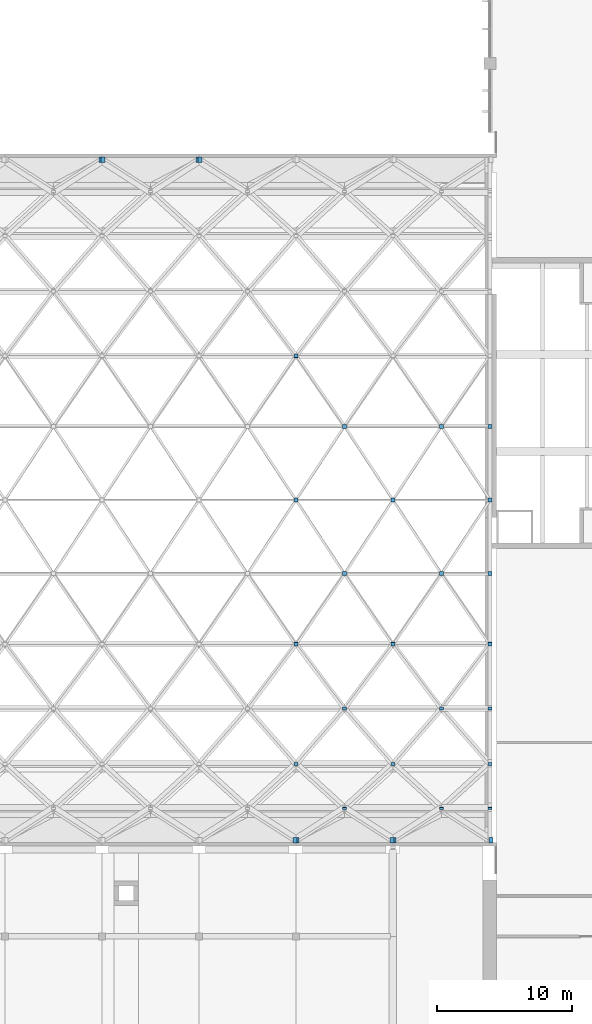
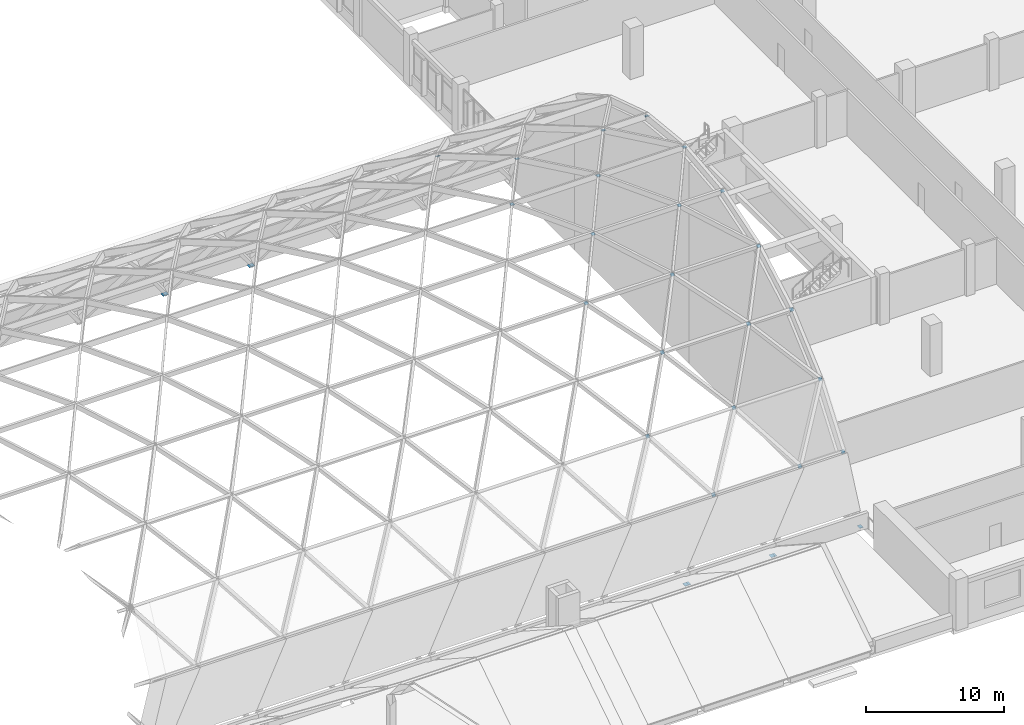
# One storey, part 48 of 52: 31 discrete accessories.
"""IFC4 building model written with IfcOpenShell, lengths in metres."""

from ifc_helpers import new_model, si_unit, direction, frame, origin, origin_2d, place, context, subcontext, project, spatial, rectangle, extrude, material, layer, layer_set, material_profile, profile_set, type_object, element, save


model = new_model("IFC4")

# Units and contexts
model_context = context("Model", 3, precision=1e-05, world=origin(), true_north=direction((0.0, 1.0)))
body_context = subcontext(model_context, "Body", "Model", "MODEL_VIEW")
ifc_project = project(units=[si_unit("LENGTHUNIT", "METRE"), si_unit("AREAUNIT", "SQUARE_METRE"), si_unit("VOLUMEUNIT", "CUBIC_METRE"), si_unit("PLANEANGLEUNIT", "RADIAN"), si_unit("MASSUNIT", "GRAM", prefix="KILO")], contexts=[model_context])

# Site, building, storey
site_placement = place(None, origin())
site = spatial("IfcSite", under=ifc_project, at=site_placement, CompositionType="ELEMENT")
building_placement = place(site_placement, origin())
building = spatial("IfcBuilding", under=site, at=building_placement, Name="Vermilion Court Aquatics Centre", CompositionType="ELEMENT")
storey_placement = place(building_placement, frame((0.0, 0.0, 12.0)))
storey = spatial("IfcBuildingStorey", under=building, at=storey_placement, Name="L02", CompositionType="ELEMENT", Elevation=12.0)

# Discrete accessories
ifc_material_1 = material(Name="Stainless steel 1.4547, 1.4529 or 1.4565", Category="steel")
ifc_material_profile = material_profile(ifc_material_1, rectangle(XDim=0.300048828125, YDim=0.300048828125, at=origin_2d()), Name="PL 12 x 300 x 300")
ifc_profile_set = profile_set([ifc_material_profile], Name="Stainless steel 1.4547, 1.4529 or 1.4565")
discrete_accessory_type_1 = type_object("IfcDiscreteAccessoryType", Name="Gridshell node plate", PredefinedType="BRACKET", material=ifc_profile_set)
for number, where, z_axis, x_axis, name in (
    (1, (133.199951171875, 16.715087890625, 5.23583984375), (0.0, -0.850265146688, 0.526354614616), (1.0, 0.0, 0.0), "Gridshell node plate NP1 01-17"),
    (2, (140.39990234375, 16.715087890625, 5.23583984375), (0.0, -0.850265146688, 0.526354614616), (1.0, 0.0, 0.0), "Gridshell node plate NP1 01-18"),
    (3, (144.0, 16.715087890625, 5.23583984375), (0.0, -0.850265146688, 0.526354614616), (1.0, 0.0, 0.0), "Gridshell node plate NP1 01-19"),
    (4, (129.60009765625, 20.00439453125, 9.64794921875), (0.0, -0.737154140201, 0.675724628517), (1.0, 0.0, 0.0), "Gridshell node plate NP1 02-16"),
    (5, (136.800048828125, 20.00439453125, 9.64794921875), (0.0, -0.737154140201, 0.675724628517), (1.0, 0.0, 0.0), "Gridshell node plate NP1 02-17"),
    (6, (144.0, 20.00439453125, 9.64794921875), (0.0, -0.737154140201, 0.675724628517), (1.0, 0.0, 0.0), "Gridshell node plate NP1 02-18"),
    (7, (133.199951171875, 24.12353515625, 13.2861328125), (0.0, -0.586967571461, 0.809610443394), (1.0, 0.0, 0.0), "Gridshell node plate NP1 03-17"),
    (8, (140.39990234375, 24.12353515625, 13.2861328125), (0.0, -0.586967571461, 0.809610443394), (1.0, 0.0, 0.0), "Gridshell node plate NP1 03-18"),
    (9, (144.0, 24.12353515625, 13.2861328125), (0.0, -0.586967571461, 0.809610443394), (1.0, 0.0, 0.0), "Gridshell node plate NP1 03-19"),
    (10, (129.60009765625, 28.90234375, 16.00146484375), (0.0, -0.38897203704, 0.921249561411), (1.0, 0.0, 0.0), "Gridshell node plate NP1 04-16"),
    (11, (136.800048828125, 28.90234375, 16.00146484375), (0.0, -0.38897203704, 0.921249561411), (1.0, 0.0, 0.0), "Gridshell node plate NP1 04-17"),
    (12, (144.0, 28.90234375, 16.00146484375), (0.0, -0.38897203704, 0.921249561411), (1.0, 0.0, 0.0), "Gridshell node plate NP1 04-18"),
):
    element("IfcDiscreteAccessory", number, at=place(storey_placement, frame(where, z_axis=z_axis, x_axis=x_axis)), inside=storey, type_object=discrete_accessory_type_1, Name=name, PredefinedType="BRACKET", context=body_context, shape_type="SweptSolid", body=[
        extrude(rectangle(XDim=0.300048828125, YDim=0.300048828125, at=origin_2d()), origin(), (0.0, 0.0, 1.0), 0.011962890625),
    ])
for number, where, z_axis, x_axis, name in (
    (13, (133.199951171875, 34.13134765625, 17.676025390625), (0.0, -0.219038342307, 0.975716252094), (1.0, 0.0, 0.0), "Gridshell node plate NP1 05-17"),
    (14, (140.39990234375, 34.13134765625, 17.676025390625), (0.0, -0.219038342307, 0.975716252094), (1.0, 0.0, 0.0), "Gridshell node plate NP1 05-18"),
    (15, (144.0, 34.13134765625, 17.676025390625), (0.0, -0.219038342307, 0.975716252094), (1.0, 0.0, 0.0), "Gridshell node plate NP1 05-19"),
    (16, (129.60009765625, 39.60009765625, 18.243896484375), (0.0, 0.0, 1.0), (1.0, 0.0, 0.0), "Gridshell node plate NP1 06-16"),
    (17, (136.800048828125, 39.60009765625, 18.243896484375), (0.0, 0.0, 1.0), (1.0, 0.0, 0.0), "Gridshell node plate NP1 06-17"),
    (18, (144.0, 39.60009765625, 18.243896484375), (0.0, 0.0, 1.0), (1.0, 0.0, 0.0), "Gridshell node plate NP1 06-18"),
    (19, (133.199951171875, 45.06884765625, 17.676025390625), (0.0, 0.199960011996, 0.97980405878), (-1.0, 0.0, 0.0), "Gridshell node plate NP1 07-17"),
    (20, (140.39990234375, 45.06884765625, 17.676025390625), (0.0, 0.199960011996, 0.97980405878), (-1.0, 0.0, 0.0), "Gridshell node plate NP1 07-18"),
    (21, (144.0, 45.06884765625, 17.676025390625), (0.0, 0.199960011996, 0.97980405878), (-1.0, 0.0, 0.0), "Gridshell node plate NP1 07-19"),
):
    element("IfcDiscreteAccessory", number, at=place(storey_placement, frame(where, z_axis=z_axis, x_axis=x_axis)), inside=storey, type_object=discrete_accessory_type_1, Name=name, PredefinedType="BRACKET", context=body_context, shape_type="SweptSolid", body=[
        extrude(rectangle(XDim=0.300048828125, YDim=0.300048828125, at=origin_2d()), origin(), (0.0, 0.0, 1.0), 0.01220703125),
    ])
discrete_accessory_placement = place(storey_placement, frame((129.60009765625, 50.297607421875, 16.00146484375), z_axis=(0.0, 0.406138466053, 0.91381154862), x_axis=(-1.0, 0.0, 0.0)))
element("IfcDiscreteAccessory", 22, at=discrete_accessory_placement, inside=storey, type_object=discrete_accessory_type_1, Name="Gridshell node plate NP1 08-16", PredefinedType="BRACKET", context=body_context, shape_type="SweptSolid", body=[
    extrude(rectangle(XDim=0.300048828125, YDim=0.300048828125, at=origin_2d()), origin(), (0.0, 0.0, 1.0), 0.011962890625),
])
ifc_material_2 = material(Name="Stainless steel 1.4547, 1.4529 or 1.4565", Category="steel")
ifc_layer = layer(ifc_material_2, 0.02490234375)
ifc_layer_set = layer_set([ifc_layer], Name="Gridshell springing seat plate")
discrete_accessory_type_2 = type_object("IfcDiscreteAccessoryType", Name="Gridshell springing seat plate", PredefinedType="SHOE", material=ifc_layer_set)
for number, where, z_axis, x_axis, name in (
    (23, (129.515380859375, 14.345703125, 0.025146484375), (0.0, 0.0, 1.0), (1.0, 0.0, 0.0), "Gridshell springing seat plate NP2 S32"),
    (24, (129.6845703125, 14.345703125, 0.025146484375), (0.0, 0.0, 1.0), (1.0, 0.0, 0.0), "Gridshell springing seat plate NP2 S33"),
    (25, (136.715576171875, 14.345703125, 0.025146484375), (0.0, 0.0, 1.0), (1.0, 0.0, 0.0), "Gridshell springing seat plate NP2 S34"),
    (26, (136.884521484375, 14.345703125, 0.025146484375), (0.0, 0.0, 1.0), (1.0, 0.0, 0.0), "Gridshell springing seat plate NP2 S35"),
    (27, (144.08447265625, 14.345703125, 0.025146484375), (0.0, 0.0, 1.0), (1.0, 0.0, 0.0), "Gridshell springing seat plate NP2 S36"),
    (28, (115.115478515625, 64.854248046875, 0.025146484375), (0.0, 0.0, 1.0), (1.0, 0.0, 0.0), "Gridshell springing seat plate NP2 N64"),
    (29, (115.284423828125, 64.854248046875, 0.025146484375), (0.0, 0.0, 1.0), (1.0, 0.0, 0.0), "Gridshell springing seat plate NP2 N65"),
    (30, (122.3154296875, 64.854248046875, 0.025146484375), (0.0, 0.0, 1.0), (1.0, 0.0, 0.0), "Gridshell springing seat plate NP2 N66"),
    (31, (122.484619140625, 64.854248046875, 0.025146484375), (0.0, 0.0, 1.0), (1.0, 0.0, 0.0), "Gridshell springing seat plate NP2 N67"),
):
    element("IfcDiscreteAccessory", number, at=place(storey_placement, frame(where, z_axis=z_axis, x_axis=x_axis)), inside=storey, type_object=discrete_accessory_type_2, Name=name, PredefinedType="SHOE", context=body_context, shape_type="SweptSolid", body=[
        extrude(rectangle(XDim=0.300048828125, YDim=0.39990234375, at=origin_2d()), origin(), (0.0, 0.0, 1.0), 0.02490234375),
    ])

save(model, "model.ifc")
